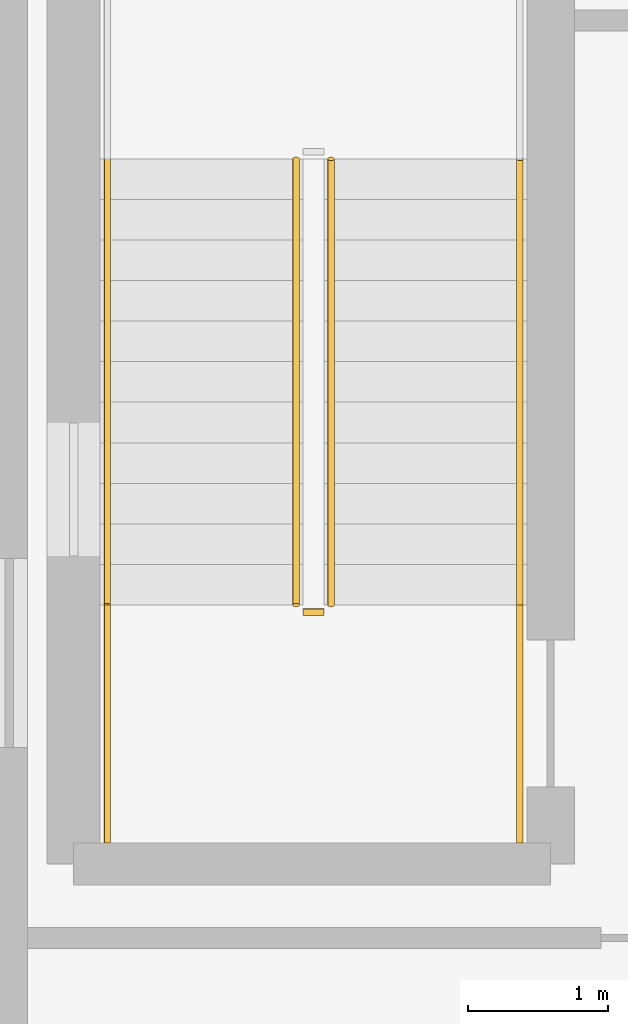
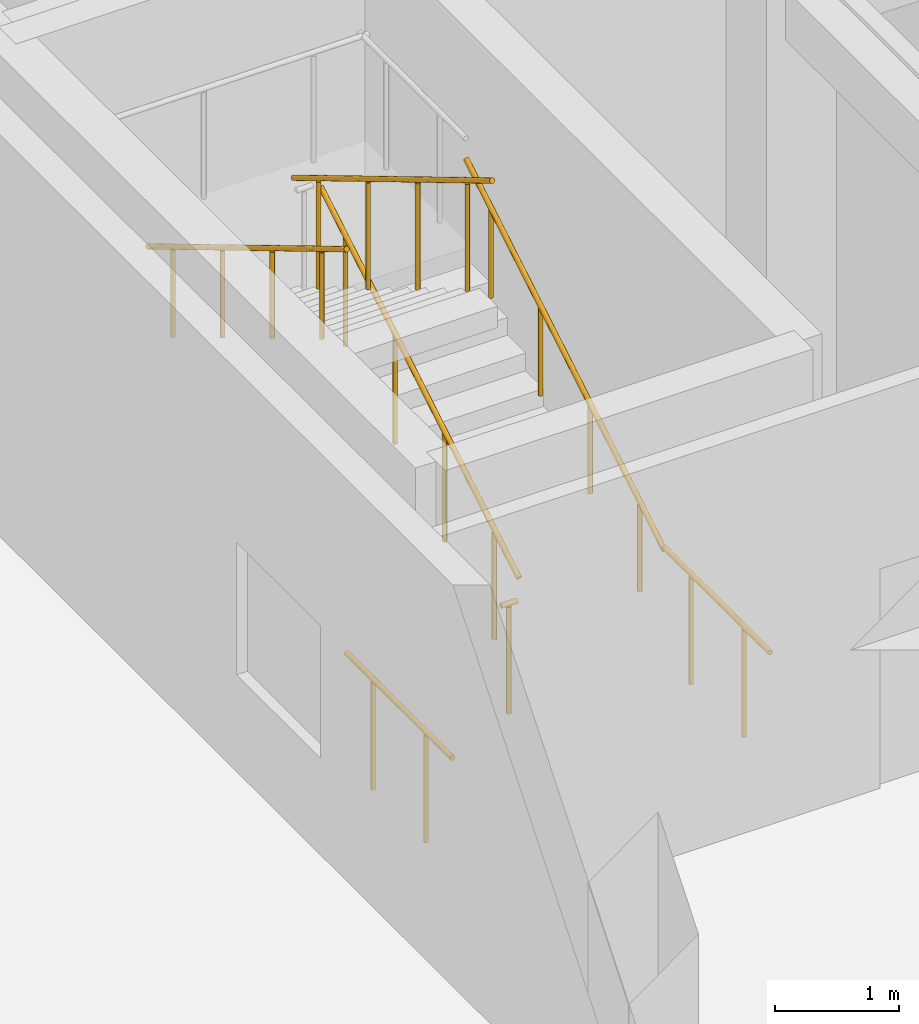
# One storey, part 95 of 114: 7 railings.
"""IFC4 building model written with IfcOpenShell, lengths in metres."""

from ifc_helpers import new_model, si_unit, direction, frame, origin, origin_2d, place, context, subcontext, project, spatial, circle, extrude, material, type_object, element, save


model = new_model("IFC4")

# Units and contexts
model_context = context("Model", 3, precision=1e-05, world=origin(), true_north=direction((0.0, 1.0)))
body_context = subcontext(model_context, "Body", "Model", "MODEL_VIEW")
ifc_project = project(units=[si_unit("LENGTHUNIT", "METRE"), si_unit("AREAUNIT", "SQUARE_METRE"), si_unit("VOLUMEUNIT", "CUBIC_METRE"), si_unit("PLANEANGLEUNIT", "RADIAN"), si_unit("MASSUNIT", "GRAM", prefix="KILO")], contexts=[model_context])

# Site, building, storey
site_placement = place(None, origin())
site = spatial("IfcSite", under=ifc_project, at=site_placement, CompositionType="ELEMENT")
building_placement = place(site_placement, origin())
building = spatial("IfcBuilding", under=site, at=building_placement, Name="Keldmere Railside Commons", CompositionType="ELEMENT")
storey_placement = place(building_placement, origin())
storey = spatial("IfcBuildingStorey", under=building, at=storey_placement, Name="L00", CompositionType="ELEMENT", Elevation=0.0)

# Railings
ifc_material = material(Name="Steel F-24 (S235)", Category="steel")
railing_type_1 = type_object("IfcRailingType", Name="Stair Well Steel Guardrail 1100", PredefinedType="BALUSTRADE", material=ifc_material)
railing_1_placement = place(storey_placement, frame((10.300048828125, 69.199951171875, 0.17333984375)))
element("IfcRailing", 1, at=railing_1_placement, inside=storey, type_object=railing_type_1, Name="L00 ST-D1 stair guard 1", PredefinedType="BALUSTRADE", context=body_context, shape_type="SweptSolid", body=[
    extrude(circle(Radius=0.02392578125, at=origin_2d()), frame((0.0, 0.0, 1.076171875), z_axis=(0.0, 0.858349611844, 0.513065243265), x_axis=(-1.0, 0.0, 0.0)), (0.0, 0.0, 1.0), 3.71630859375),
    extrude(circle(Radius=0.02099609375, at=origin_2d()), frame((0.0, 0.398681640625, 0.23828125)), (0.0, 0.0, 1.0), 1.048095703125),
    extrude(circle(Radius=0.02099609375, at=origin_2d()), frame((0.0, 1.1962890625, 0.715087890625)), (0.0, 0.0, 1.0), 1.048095703125),
    extrude(circle(Radius=0.02099609375, at=origin_2d()), frame((0.0, 1.99365234375, 1.191650390625)), (0.0, 0.0, 1.0), 1.048095703125),
    extrude(circle(Radius=0.02099609375, at=origin_2d()), frame((0.0, 2.791259765625, 1.66845703125)), (0.0, 0.0, 1.0), 1.048095703125),
])
railing_2_placement = place(storey_placement, frame((10.050048828125, 72.389892578125, 2.25341796875)))
element("IfcRailing", 2, at=railing_2_placement, inside=storey, type_object=railing_type_1, Name="L00 ST-D1 stair guard 6", PredefinedType="BALUSTRADE", context=body_context, shape_type="SweptSolid", body=[
    extrude(circle(Radius=0.02392578125, at=origin_2d()), frame((0.0, 0.0, 1.076171875), z_axis=(0.0, -0.858378542117, 0.513016840302), x_axis=(1.0, 0.0, 0.0)), (0.0, 0.0, 1.0), 3.71630859375),
    extrude(circle(Radius=0.02099609375, at=origin_2d()), frame((0.0, -0.398681640625, 0.23828125)), (0.0, 0.0, 1.0), 1.048095703125),
    extrude(circle(Radius=0.02099609375, at=origin_2d()), frame((0.0, -1.1962890625, 0.71484375)), (0.0, 0.0, 1.0), 1.048095703125),
    extrude(circle(Radius=0.02099609375, at=origin_2d()), frame((0.0, -1.99365234375, 1.191650390625)), (0.0, 0.0, 1.0), 1.048095703125),
    extrude(circle(Radius=0.02099609375, at=origin_2d()), frame((0.0, -2.791259765625, 1.668212890625)), (0.0, 0.0, 1.0), 1.048095703125),
])
railing_3_placement = place(storey_placement, frame((10.25, 69.14990234375, 0.0)))
element("IfcRailing", 3, at=railing_3_placement, inside=storey, type_object=railing_type_1, Name="L00 ST-D1 stair guard 7", PredefinedType="BALUSTRADE", context=body_context, shape_type="SweptSolid", body=[
    extrude(circle(Radius=0.02392578125, at=origin_2d()), frame((0.0, 0.0, 1.076171875), z_axis=(-1.0, 0.0, 0.0), x_axis=(0.0, -1.0, 0.0)), (0.0, 0.0, 1.0), 0.14990234375),
    extrude(circle(Radius=0.02099609375, at=origin_2d()), frame((-0.074951171875, 0.0, 0.0)), (0.0, 0.0, 1.0), 1.048095703125),
])
for number, where, name in (
    (4, (11.64990234375, 67.5, 0.0), "L00 ST-D1 stair guard 8"),
    (5, (8.699951171875, 67.5, 0.0), "L00 ST-D1 stair guard 9"),
):
    element("IfcRailing", number, at=place(storey_placement, frame(where)), inside=storey, type_object=railing_type_1, Name=name, PredefinedType="BALUSTRADE", context=body_context, shape_type="SweptSolid", body=[
        extrude(circle(Radius=0.02392578125, at=origin_2d()), frame((0.0, 0.0, 1.076171875), z_axis=(0.0, 1.0, 0.0), x_axis=(-1.0, 0.0, 0.0)), (0.0, 0.0, 1.0), 1.699951171875),
        extrude(circle(Radius=0.02099609375, at=origin_2d()), frame((0.0, 0.425048828125, 0.0)), (0.0, 0.0, 1.0), 1.048095703125),
        extrude(circle(Radius=0.02099609375, at=origin_2d()), frame((0.0, 1.27490234375, 0.0)), (0.0, 0.0, 1.0), 1.048095703125),
    ])
railing_type_2 = type_object("IfcRailingType", Name="Wall-Mounted Tubular Steel Handrail 900", PredefinedType="HANDRAIL", material=ifc_material)
railing_4_placement = place(storey_placement, frame((11.64990234375, 69.199951171875, 0.17333984375)))
element("IfcRailing", 6, at=railing_4_placement, inside=storey, type_object=railing_type_2, Name="L00 ST-D1 stair handrail 1", PredefinedType="HANDRAIL", context=body_context, shape_type="SweptSolid", body=[
    extrude(circle(Radius=0.02392578125, at=origin_2d()), frame((0.0, 0.0, 0.8759765625), z_axis=(0.0, 0.858349611844, 0.513065243265), x_axis=(-1.0, 0.0, 0.0)), (0.0, 0.0, 1.0), 3.71630859375),
    extrude(circle(Radius=0.02099609375, at=origin_2d()), frame((0.0, 0.398681640625, 0.23828125)), (0.0, 0.0, 1.0), 0.847900390625),
    extrude(circle(Radius=0.02099609375, at=origin_2d()), frame((0.0, 1.1962890625, 0.715087890625)), (0.0, 0.0, 1.0), 0.847900390625),
    extrude(circle(Radius=0.02099609375, at=origin_2d()), frame((0.0, 1.99365234375, 1.191650390625)), (0.0, 0.0, 1.0), 0.847900390625),
    extrude(circle(Radius=0.02099609375, at=origin_2d()), frame((0.0, 2.791259765625, 1.66845703125)), (0.0, 0.0, 1.0), 0.847900390625),
])
railing_5_placement = place(storey_placement, frame((8.699951171875, 72.389892578125, 2.25341796875)))
element("IfcRailing", 7, at=railing_5_placement, inside=storey, type_object=railing_type_2, Name="L00 ST-D1 stair handrail 2", PredefinedType="HANDRAIL", context=body_context, shape_type="SweptSolid", body=[
    extrude(circle(Radius=0.02392578125, at=origin_2d()), frame((0.0, 0.0, 0.8759765625), z_axis=(0.0, -0.858378542117, 0.513016840302), x_axis=(1.0, 0.0, 0.0)), (0.0, 0.0, 1.0), 3.71630859375),
    extrude(circle(Radius=0.02099609375, at=origin_2d()), frame((0.0, -0.398681640625, 0.23828125)), (0.0, 0.0, 1.0), 0.847900390625),
    extrude(circle(Radius=0.02099609375, at=origin_2d()), frame((0.0, -1.1962890625, 0.71484375)), (0.0, 0.0, 1.0), 0.847900390625),
    extrude(circle(Radius=0.02099609375, at=origin_2d()), frame((0.0, -1.99365234375, 1.191650390625)), (0.0, 0.0, 1.0), 0.847900390625),
    extrude(circle(Radius=0.02099609375, at=origin_2d()), frame((0.0, -2.791259765625, 1.668212890625)), (0.0, 0.0, 1.0), 0.847900390625),
])

save(model, "model.ifc")
